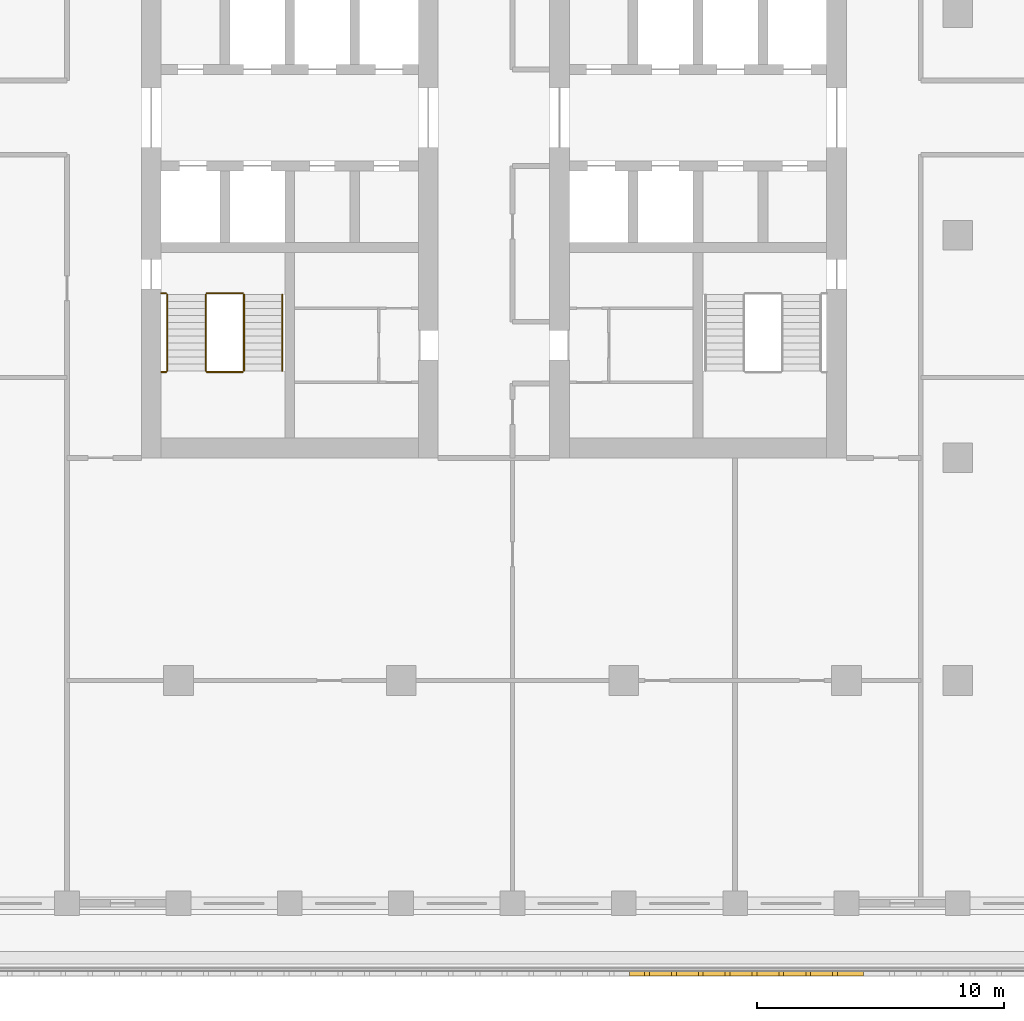
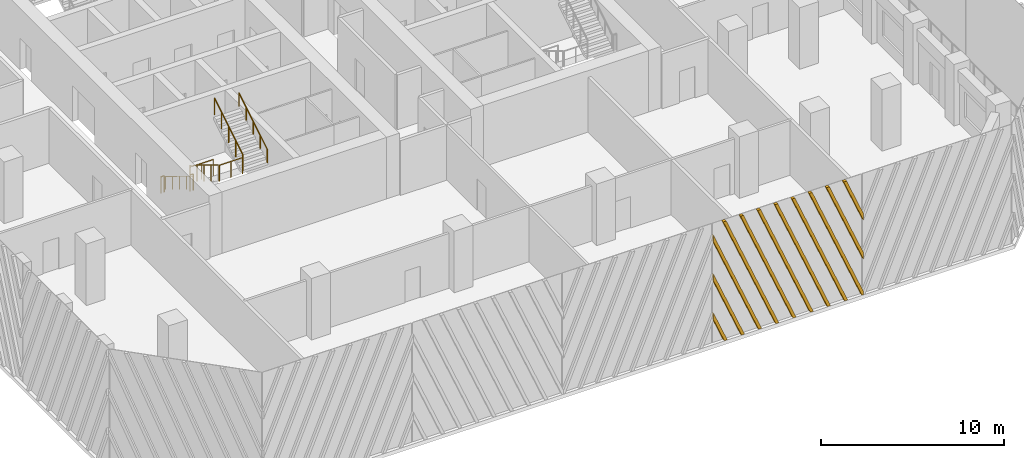
# One storey, part 10 of 16: 8 railings, 1 shading device.
"""IFC4 building model written with IfcOpenShell, lengths in metres."""

from ifc_helpers import new_model, si_unit, direction, frame, origin, origin_2d, place, context, subcontext, project, spatial, polyline, circle, outline, extrude, source, transform, mapped, material, type_object, element, save


model = new_model("IFC4")

# Units and contexts
model_context = context("Model", 3, precision=1e-05, world=origin(), true_north=direction((0.0, 1.0)))
body_context = subcontext(model_context, "Body", "Model", "MODEL_VIEW")
ifc_project = project(units=[si_unit("LENGTHUNIT", "METRE"), si_unit("AREAUNIT", "SQUARE_METRE"), si_unit("VOLUMEUNIT", "CUBIC_METRE"), si_unit("PLANEANGLEUNIT", "RADIAN"), si_unit("MASSUNIT", "GRAM", prefix="KILO")], contexts=[model_context])

# Site, building, storey
site_placement = place(None, origin())
site = spatial("IfcSite", under=ifc_project, at=site_placement, CompositionType="ELEMENT")
building_placement = place(site_placement, origin())
building = spatial("IfcBuilding", under=site, at=building_placement, Name="Corbel Stack Research Tower", CompositionType="ELEMENT")
storey_placement = place(building_placement, frame((0.0, 0.0, 199.699951171875)))
storey = spatial("IfcBuildingStorey", under=building, at=storey_placement, Name="L45", CompositionType="ELEMENT", Elevation=199.699951171875)

# Railings
ifc_material_1 = material(Name="Steel S355", Category="steel")
railing_type_1 = type_object("IfcRailingType", Name="Stair guard 1100", PredefinedType="GUARDRAIL", material=ifc_material_1)
railing_1_placement = place(storey_placement, frame((-7.89990234375, -2.39990234375, 0.1708984375)))
element("IfcRailing", 1, at=railing_1_placement, inside=storey, type_object=railing_type_1, Name="L45 ST-W1 stair guard 1", PredefinedType="GUARDRAIL", context=body_context, shape_type="SweptSolid", body=[
    extrude(circle(Radius=0.02392578125, at=origin_2d()), frame((0.0, 0.0, 1.076171875), z_axis=(0.0, -0.853666305674, 0.52082035152), x_axis=(1.0, 0.0, 0.0)), (0.0, 0.0, 1.0), 3.608154296875),
    extrude(circle(Radius=0.02099609375, at=origin_2d()), origin(), (0.0, 0.0, 1.0), 1.052001953125),
    extrude(circle(Radius=0.02099609375, at=origin_2d()), frame((0.0, -0.77001953125, 0.4697265625)), (0.0, 0.0, 1.0), 1.052001953125),
    extrude(circle(Radius=0.02099609375, at=origin_2d()), frame((0.0, -1.5400390625, 0.939453125)), (0.0, 0.0, 1.0), 1.052001953125),
    extrude(circle(Radius=0.02099609375, at=origin_2d()), frame((0.0, -2.31005859375, 1.409423828125)), (0.0, 0.0, 1.0), 1.052001953125),
    extrude(circle(Radius=0.02099609375, at=origin_2d()), frame((0.0, -3.080078125, 1.879150390625)), (0.0, 0.0, 1.0), 1.052001953125),
])
railing_2_placement = place(storey_placement, frame((-7.85009765625, -5.530029296875, 2.050048828125)))
element("IfcRailing", 2, at=railing_2_placement, inside=storey, type_object=railing_type_1, Name="L45 ST-W1 stair guard 2", PredefinedType="GUARDRAIL", context=body_context, shape_type="SweptSolid", body=[
    extrude(circle(Radius=0.02392578125, at=origin_2d()), frame((0.0, 0.0, 1.076171875), z_axis=(1.0, 0.0, 0.0), x_axis=(0.0, 1.0, 0.0)), (0.0, 0.0, 1.0), 1.4501953125),
    extrude(circle(Radius=0.02099609375, at=origin_2d()), origin(), (0.0, 0.0, 1.0), 1.052001953125),
    extrude(circle(Radius=0.02099609375, at=origin_2d()), frame((0.72509765625, 0.0, 0.0)), (0.0, 0.0, 1.0), 1.052001953125),
    extrude(circle(Radius=0.02099609375, at=origin_2d()), frame((1.4501953125, 0.0, 0.0)), (0.0, 0.0, 1.0), 1.052001953125),
])
railing_3_placement = place(storey_placement, frame((-9.699951171875, -5.530029296875, 2.050048828125)))
element("IfcRailing", 3, at=railing_3_placement, inside=storey, type_object=railing_type_1, Name="L45 ST-W1 stair guard 3", PredefinedType="GUARDRAIL", context=body_context, shape_type="SweptSolid", body=[
    extrude(circle(Radius=0.02392578125, at=origin_2d()), frame((0.0, 0.0, 1.076171875), z_axis=(1.0, 0.0, 0.0), x_axis=(0.0, 1.0, 0.0)), (0.0, 0.0, 1.0), 0.199951171875),
    extrude(circle(Radius=0.02099609375, at=origin_2d()), origin(), (0.0, 0.0, 1.0), 1.052001953125),
    extrude(circle(Radius=0.02099609375, at=origin_2d()), frame((0.199951171875, 0.0, 0.0)), (0.0, 0.0, 1.0), 1.052001953125),
])
railing_4_placement = place(storey_placement, frame((-6.35009765625, -5.47998046875, 2.220947265625)))
element("IfcRailing", 4, at=railing_4_placement, inside=storey, type_object=railing_type_1, Name="L45 ST-W1 stair guard 4", PredefinedType="GUARDRAIL", context=body_context, shape_type="SweptSolid", body=[
    extrude(circle(Radius=0.02392578125, at=origin_2d()), frame((0.0, 0.0, 1.076171875), z_axis=(0.0, 0.853666305674, 0.52082035152), x_axis=(-1.0, 0.0, 0.0)), (0.0, 0.0, 1.0), 3.608154296875),
    extrude(circle(Radius=0.02099609375, at=origin_2d()), origin(), (0.0, 0.0, 1.0), 1.052001953125),
    extrude(circle(Radius=0.02099609375, at=origin_2d()), frame((0.0, 0.77001953125, 0.4697265625)), (0.0, 0.0, 1.0), 1.052001953125),
    extrude(circle(Radius=0.02099609375, at=origin_2d()), frame((0.0, 1.5400390625, 0.939453125)), (0.0, 0.0, 1.0), 1.052001953125),
    extrude(circle(Radius=0.02099609375, at=origin_2d()), frame((0.0, 2.31005859375, 1.409423828125)), (0.0, 0.0, 1.0), 1.052001953125),
    extrude(circle(Radius=0.02099609375, at=origin_2d()), frame((0.0, 3.080078125, 1.879150390625)), (0.0, 0.0, 1.0), 1.052001953125),
])
railing_5_placement = place(storey_placement, frame((-7.85009765625, -2.35009765625, 0.0)))
element("IfcRailing", 5, at=railing_5_placement, inside=storey, type_object=railing_type_1, Name="L45 ST-W1 stair guard 5", PredefinedType="GUARDRAIL", context=body_context, shape_type="SweptSolid", body=[
    extrude(circle(Radius=0.02392578125, at=origin_2d()), frame((0.0, 0.0, 1.076171875), z_axis=(1.0, 0.0, 0.0), x_axis=(0.0, 1.0, 0.0)), (0.0, 0.0, 1.0), 1.4501953125),
    extrude(circle(Radius=0.02099609375, at=origin_2d()), origin(), (0.0, 0.0, 1.0), 1.052001953125),
    extrude(circle(Radius=0.02099609375, at=origin_2d()), frame((0.72509765625, 0.0, 0.0)), (0.0, 0.0, 1.0), 1.052001953125),
    extrude(circle(Radius=0.02099609375, at=origin_2d()), frame((1.4501953125, 0.0, 0.0)), (0.0, 0.0, 1.0), 1.052001953125),
])
railing_6_placement = place(storey_placement, frame((-9.699951171875, -2.35009765625, 0.0)))
element("IfcRailing", 6, at=railing_6_placement, inside=storey, type_object=railing_type_1, Name="L45 ST-W1 stair guard 6", PredefinedType="GUARDRAIL", context=body_context, shape_type="SweptSolid", body=[
    extrude(circle(Radius=0.02392578125, at=origin_2d()), frame((0.0, 0.0, 1.076171875), z_axis=(1.0, 0.0, 0.0), x_axis=(0.0, 1.0, 0.0)), (0.0, 0.0, 1.0), 0.199951171875),
    extrude(circle(Radius=0.02099609375, at=origin_2d()), origin(), (0.0, 0.0, 1.0), 1.052001953125),
    extrude(circle(Radius=0.02099609375, at=origin_2d()), frame((0.199951171875, 0.0, 0.0)), (0.0, 0.0, 1.0), 1.052001953125),
])
ifc_material_2 = material(Name="Steel S355", Category="steel")
railing_type_2 = type_object("IfcRailingType", Name="Stair handrail 900", PredefinedType="HANDRAIL", material=ifc_material_2)
railing_7_placement = place(storey_placement, frame((-9.449951171875, -2.39990234375, 0.1708984375)))
element("IfcRailing", 7, at=railing_7_placement, inside=storey, type_object=railing_type_2, Name="L45 ST-W1 stair handrail 1", PredefinedType="HANDRAIL", context=body_context, shape_type="SweptSolid", body=[
    extrude(circle(Radius=0.02392578125, at=origin_2d()), frame((0.0, 0.0, 0.8759765625), z_axis=(0.0, -0.853666305674, 0.52082035152), x_axis=(1.0, 0.0, 0.0)), (0.0, 0.0, 1.0), 3.608154296875),
    extrude(circle(Radius=0.02099609375, at=origin_2d()), origin(), (0.0, 0.0, 1.0), 0.851806640625),
    extrude(circle(Radius=0.02099609375, at=origin_2d()), frame((0.0, -0.77001953125, 0.4697265625)), (0.0, 0.0, 1.0), 0.851806640625),
    extrude(circle(Radius=0.02099609375, at=origin_2d()), frame((0.0, -1.5400390625, 0.939453125)), (0.0, 0.0, 1.0), 0.851806640625),
    extrude(circle(Radius=0.02099609375, at=origin_2d()), frame((0.0, -2.31005859375, 1.409423828125)), (0.0, 0.0, 1.0), 0.851806640625),
    extrude(circle(Radius=0.02099609375, at=origin_2d()), frame((0.0, -3.080078125, 1.879150390625)), (0.0, 0.0, 1.0), 0.851806640625),
])
railing_8_placement = place(storey_placement, frame((-4.800048828125, -5.47998046875, 2.220947265625)))
element("IfcRailing", 8, at=railing_8_placement, inside=storey, type_object=railing_type_2, Name="L45 ST-W1 stair handrail 2", PredefinedType="HANDRAIL", context=body_context, shape_type="SweptSolid", body=[
    extrude(circle(Radius=0.02392578125, at=origin_2d()), frame((0.0, 0.0, 0.8759765625), z_axis=(0.0, 0.853666305674, 0.52082035152), x_axis=(-1.0, 0.0, 0.0)), (0.0, 0.0, 1.0), 3.608154296875),
    extrude(circle(Radius=0.02099609375, at=origin_2d()), origin(), (0.0, 0.0, 1.0), 0.851806640625),
    extrude(circle(Radius=0.02099609375, at=origin_2d()), frame((0.0, 0.77001953125, 0.4697265625)), (0.0, 0.0, 1.0), 0.851806640625),
    extrude(circle(Radius=0.02099609375, at=origin_2d()), frame((0.0, 1.5400390625, 0.939453125)), (0.0, 0.0, 1.0), 0.851806640625),
    extrude(circle(Radius=0.02099609375, at=origin_2d()), frame((0.0, 2.31005859375, 1.409423828125)), (0.0, 0.0, 1.0), 0.851806640625),
    extrude(circle(Radius=0.02099609375, at=origin_2d()), frame((0.0, 3.080078125, 1.879150390625)), (0.0, 0.0, 1.0), 0.851806640625),
])

# Shading device
ifc_material_3 = material(Name="Precast terracotta", Category="masonry")
shading_device_type = type_object("IfcShadingDeviceType", Name="Terracotta screen panel", PredefinedType="USERDEFINED", material=ifc_material_3)
shared_shape = source(origin(), body_context, "Body", "SweptSolid", [
    extrude(outline(polyline([(0.873291015625, 0.0), (0.0, 2.091064453125), (0.0, 1.635986328125), (0.683349609375, 0.0), (0.873291015625, 0.0)])), frame((0.0, 0.0, 0.0), z_axis=(0.0, -1.0, 0.0), x_axis=(1.0, 0.0, 0.0)), (0.0, 0.0, 1.0), 0.179931640625),
    extrude(outline(polyline([(1.9580078125, 0.0), (0.0, 4.688232421875), (0.0, 4.2333984375), (1.76806640625, 0.0), (1.9580078125, 0.0)])), frame((0.0, 0.0, 0.0), z_axis=(0.0, -1.0, 0.0), x_axis=(1.0, 0.0, 0.0)), (0.0, 0.0, 1.0), 0.179931640625),
    extrude(outline(polyline([(3.04248046875, 0.0), (0.0, 7.285400390625), (0.0, 6.83056640625), (2.8525390625, 0.0), (3.04248046875, 0.0)])), frame((0.0, 0.0, 0.0), z_axis=(0.0, -1.0, 0.0), x_axis=(1.0, 0.0, 0.0)), (0.0, 0.0, 1.0), 0.179931640625),
    extrude(outline(polyline([(4.127197265625, 0.0), (0.80712890625, 7.949951171875), (0.6171875, 7.949951171875), (3.937255859375, 0.0), (4.127197265625, 0.0)])), frame((0.0, 0.0, 0.0), z_axis=(0.0, -1.0, 0.0), x_axis=(1.0, 0.0, 0.0)), (0.0, 0.0, 1.0), 0.179931640625),
    extrude(outline(polyline([(5.2119140625, 0.0), (1.891845703125, 7.949951171875), (1.701904296875, 7.949951171875), (5.02197265625, 0.0), (5.2119140625, 0.0)])), frame((0.0, 0.0, 0.0), z_axis=(0.0, -1.0, 0.0), x_axis=(1.0, 0.0, 0.0)), (0.0, 0.0, 1.0), 0.179931640625),
    extrude(outline(polyline([(6.296630859375, 0.0), (2.9765625, 7.949951171875), (2.78662109375, 7.949951171875), (6.106689453125, 0.0), (6.296630859375, 0.0)])), frame((0.0, 0.0, 0.0), z_axis=(0.0, -1.0, 0.0), x_axis=(1.0, 0.0, 0.0)), (0.0, 0.0, 1.0), 0.179931640625),
    extrude(outline(polyline([(7.38134765625, 0.0), (4.06103515625, 7.949951171875), (3.87109375, 7.949951171875), (7.19140625, 0.0), (7.38134765625, 0.0)])), frame((0.0, 0.0, 0.0), z_axis=(0.0, -1.0, 0.0), x_axis=(1.0, 0.0, 0.0)), (0.0, 0.0, 1.0), 0.179931640625),
    extrude(outline(polyline([(8.466064453125, 0.0), (5.145751953125, 7.949951171875), (4.955810546875, 7.949951171875), (8.27587890625, 0.0), (8.466064453125, 0.0)])), frame((0.0, 0.0, 0.0), z_axis=(0.0, -1.0, 0.0), x_axis=(1.0, 0.0, 0.0)), (0.0, 0.0, 1.0), 0.179931640625),
    extrude(outline(polyline([(9.45556640625, 0.0), (9.45556640625, 0.2275390625), (6.23046875, 7.949951171875), (6.04052734375, 7.949951171875), (9.360595703125, 0.0), (9.45556640625, 0.0)])), frame((0.0, 0.0, 0.0), z_axis=(0.0, -1.0, 0.0), x_axis=(1.0, 0.0, 0.0)), (0.0, 0.0, 1.0), 0.179931640625),
    extrude(outline(polyline([(7.315185546875, 7.949951171875), (7.125, 7.949951171875), (9.45556640625, 2.36962890625), (9.45556640625, 2.82470703125), (7.315185546875, 7.949951171875)])), frame((0.0, 0.0, 0.0), z_axis=(0.0, -1.0, 0.0), x_axis=(1.0, 0.0, 0.0)), (0.0, 0.0, 1.0), 0.179931640625),
    extrude(outline(polyline([(8.39990234375, 7.949951171875), (8.209716796875, 7.949951171875), (9.45556640625, 4.966796875), (9.45556640625, 5.421875), (8.39990234375, 7.949951171875)])), frame((0.0, 0.0, 0.0), z_axis=(0.0, -1.0, 0.0), x_axis=(1.0, 0.0, 0.0)), (0.0, 0.0, 1.0), 0.179931640625),
])
shading_device_placement = place(storey_placement, frame((9.227783203125, -29.75, 0.0), z_axis=(0.0, 0.0, 1.0), x_axis=(1.0, 0.0, 0.0)))
element("IfcShadingDevice", 9, at=shading_device_placement, inside=storey, type_object=shading_device_type, Name="Terracotta screen L45 S4", ObjectType="SCREEN", PredefinedType="USERDEFINED", context=body_context, shape_type="MappedRepresentation", body=[
    mapped(shared_shape, transform((0.0, 0.0, 0.0))),
])

save(model, "model.ifc")
